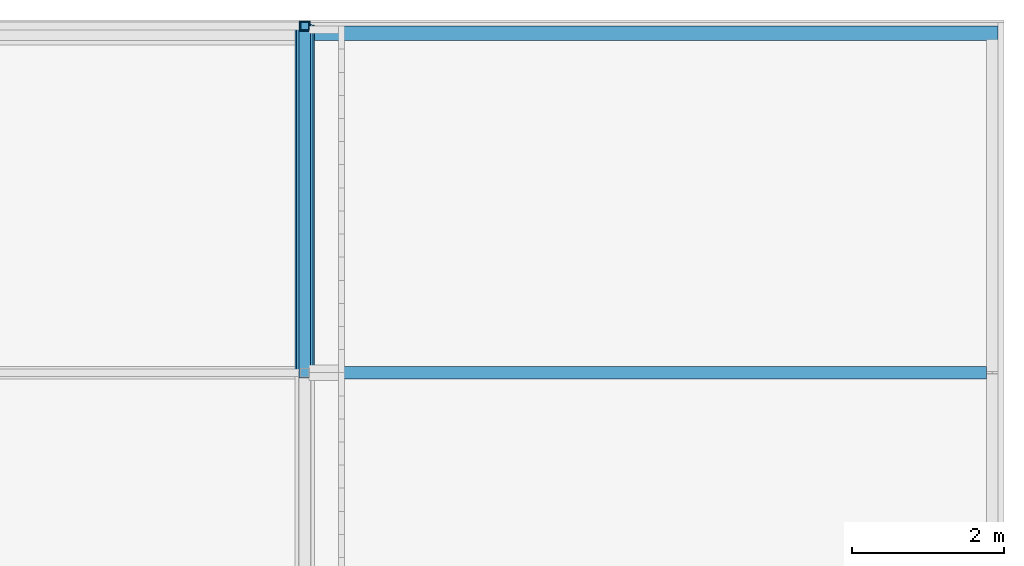
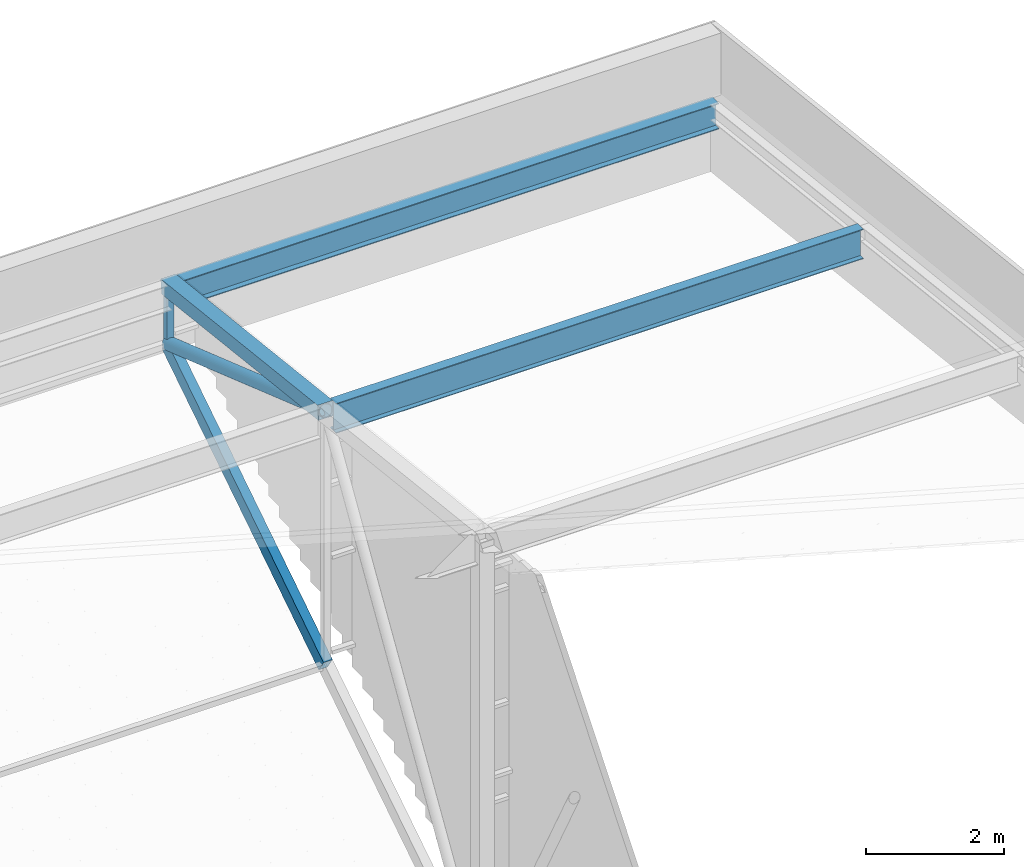
# One storey, part 409 of 500: 6 members.
"""IFC4 building model written with IfcOpenShell, lengths in metres."""

from ifc_helpers import new_model, si_unit, direction, frame, origin, origin_2d, place, context, subcontext, project, spatial, hollow_rectangle, hollow_circle, i_section, extrude, material, material_profile, profile_set, type_object, element, save


model = new_model("IFC4")

# Units and contexts
model_context = context("Model", 3, precision=1e-05, world=origin(), true_north=direction((0.0, 1.0)))
body_context = subcontext(model_context, "Body", "Model", "MODEL_VIEW")
ifc_project = project(units=[si_unit("LENGTHUNIT", "METRE"), si_unit("AREAUNIT", "SQUARE_METRE"), si_unit("VOLUMEUNIT", "CUBIC_METRE"), si_unit("PLANEANGLEUNIT", "RADIAN"), si_unit("MASSUNIT", "GRAM", prefix="KILO")], contexts=[model_context])

# Site, building, storey
site_placement = place(None, origin())
site = spatial("IfcSite", under=ifc_project, at=site_placement, CompositionType="ELEMENT")
building_placement = place(site_placement, origin())
building = spatial("IfcBuilding", under=site, at=building_placement, Name="Shirokan Park Arena", CompositionType="ELEMENT")
storey_placement = place(building_placement, frame((0.0, 0.0, 29.1201171875)))
storey = spatial("IfcBuildingStorey", under=building, at=storey_placement, Name="L06", CompositionType="ELEMENT", Elevation=29.1201171875)

# Members
ifc_material_1 = material(Name="Steel ASTM A500 Grade C", Category="steel")
ifc_material_profile_1 = material_profile(ifc_material_1, hollow_rectangle(XDim=0.152099609375, YDim=0.25390625, WallThickness=0.009521484375, at=origin_2d()), Name="HSS254X152.4X9.5")
ifc_profile_set_1 = profile_set([ifc_material_profile_1], Name="Steel ASTM A500 Grade C")
member_type_1 = type_object("IfcMemberType", Name="Bottom chord HSS254X152.4X9.5", PredefinedType="CHORD", material=ifc_profile_set_1)
member_1_placement = place(storey_placement, frame((145.60009765625, 113.75, 7.6044921875), z_axis=(0.0, 0.840971691661, 0.541079119746), x_axis=(-1.0, 0.0, 0.0)))
element("IfcMember", 1, at=member_1_placement, inside=storey, type_object=member_type_1, Name="Truss T17 bottom chord 28", PredefinedType="CHORD", context=body_context, shape_type="SweptSolid", body=[
    extrude(hollow_rectangle(XDim=0.152099609375, YDim=0.25390625, WallThickness=0.009521484375, at=origin_2d()), origin(), (0.0, 0.0, 1.0), 5.410400390625),
])
ifc_material_2 = material(Name="Steel ASTM A992", Category="steel")
ifc_material_profile_2 = material_profile(ifc_material_2, i_section(OverallWidth=0.166015625, OverallDepth=0.528076171875, WebThickness=0.009765625, FlangeThickness=0.013671875, at=origin_2d()), Name="W530X74")
ifc_profile_set_2 = profile_set([ifc_material_profile_2], Name="Steel ASTM A992")
member_type_2 = type_object("IfcMemberType", Name="Purlin W530X74", PredefinedType="PURLIN", material=ifc_profile_set_2)
member_2_placement = place(storey_placement, frame((145.72705078125, 113.75, 11.9658203125), z_axis=(1.0, 0.0, 0.0), x_axis=(0.0, 1.0, 0.0)))
element("IfcMember", 2, at=member_2_placement, inside=storey, type_object=member_type_2, Name="Eave purlin east 28", PredefinedType="PURLIN", context=body_context, shape_type="SweptSolid", body=[
    extrude(i_section(OverallWidth=0.166015625, OverallDepth=0.528076171875, WebThickness=0.009765625, FlangeThickness=0.013671875, at=origin_2d()), origin(), (0.0, 0.0, 1.0), 8.824951171875),
])
ifc_material_profile_3 = material_profile(ifc_material_2, i_section(OverallWidth=0.19091796875, OverallDepth=0.45703125, WebThickness=0.009033203125, FlangeThickness=0.014404296875, at=origin_2d()), Name="W460X74")
ifc_profile_set_3 = profile_set([ifc_material_profile_3], Name="Steel ASTM A992")
member_type_3 = type_object("IfcMemberType", Name="Roof edge beam W460X74", PredefinedType="USERDEFINED", material=ifc_profile_set_3)
member_3_placement = place(storey_placement, frame((145.656982421875, 118.20458984375, 11.4814453125), z_axis=(1.0, 0.0, 0.0), x_axis=(0.0, 1.0, 0.0)))
element("IfcMember", 3, at=member_3_placement, inside=storey, type_object=member_type_3, Name="Roof edge beam N 18", ObjectType="ROOF EDGE BEAM", PredefinedType="USERDEFINED", context=body_context, shape_type="SweptSolid", body=[
    extrude(i_section(OverallWidth=0.19091796875, OverallDepth=0.45703125, WebThickness=0.009033203125, FlangeThickness=0.014404296875, at=origin_2d()), origin(), (0.0, 0.0, 1.0), 9.04296875),
])
ifc_material_profile_4 = material_profile(ifc_material_1, hollow_rectangle(XDim=0.25390625, YDim=0.25390625, WallThickness=0.009521484375, at=origin_2d()), Name="HSS254X254X9.5")
ifc_profile_set_4 = profile_set([ifc_material_profile_4], Name="Steel ASTM A500 Grade C")
member_type_4 = type_object("IfcMemberType", Name="Top chord HSS254X254X9.5", PredefinedType="CHORD", material=ifc_profile_set_4)
member_4_placement = place(storey_placement, frame((145.60009765625, 113.75, 12.102783203125), z_axis=(0.0, 0.993532328996, -0.113549598152), x_axis=(-1.0, 0.0, 0.0)))
element("IfcMember", 4, at=member_4_placement, inside=storey, type_object=member_type_4, Name="Truss T17 top chord 28", PredefinedType="CHORD", context=body_context, shape_type="SweptSolid", body=[
    extrude(hollow_rectangle(XDim=0.25390625, YDim=0.25390625, WallThickness=0.009521484375, at=origin_2d()), origin(), (0.0, 0.0, 1.0), 4.57958984375),
])
ifc_material_profile_5 = material_profile(ifc_material_1, hollow_circle(Radius=0.109619140625, WallThickness=0.009521484375, at=origin_2d()), Name="HSS219.1X9.5")
ifc_profile_set_5 = profile_set([ifc_material_profile_5], Name="Steel ASTM A500 Grade C")
member_type_5 = type_object("IfcMemberType", Name="Truss diagonal HSS219.1X9.5", PredefinedType="BRACE", material=ifc_profile_set_5)
member_5_placement = place(storey_placement, frame((145.60009765625, 113.75, 12.102783203125), z_axis=(0.0, 0.945256498603, -0.326328288459), x_axis=(-1.0, 0.0, 0.0)))
element("IfcMember", 5, at=member_5_placement, inside=storey, type_object=member_type_5, Name="Truss T17 diagonal 28", PredefinedType="BRACE", context=body_context, shape_type="SweptSolid", body=[
    extrude(hollow_circle(Radius=0.109619140625, WallThickness=0.009521484375, at=origin_2d()), origin(), (0.0, 0.0, 1.0), 4.8134765625),
])
ifc_material_profile_6 = material_profile(ifc_material_1, hollow_rectangle(XDim=0.114013671875, YDim=0.114013671875, WallThickness=0.00634765625, at=origin_2d()), Name="HSS114.3X114.3X6.4")
ifc_profile_set_6 = profile_set([ifc_material_profile_6], Name="Steel ASTM A500 Grade C")
member_type_6 = type_object("IfcMemberType", Name="Truss post HSS114.3X114.3X6.4", PredefinedType="POST", material=ifc_profile_set_6)
member_6_placement = place(storey_placement, frame((145.60009765625, 118.300048828125, 10.531982421875), z_axis=(0.0, 0.0, 1.0), x_axis=(1.0, 0.0, 0.0)))
element("IfcMember", 6, at=member_6_placement, inside=storey, type_object=member_type_6, Name="Truss T17 post 29", PredefinedType="POST", context=body_context, shape_type="SweptSolid", body=[
    extrude(hollow_rectangle(XDim=0.114013671875, YDim=0.114013671875, WallThickness=0.00634765625, at=origin_2d()), origin(), (0.0, 0.0, 1.0), 1.05078125),
])

save(model, "model.ifc")
